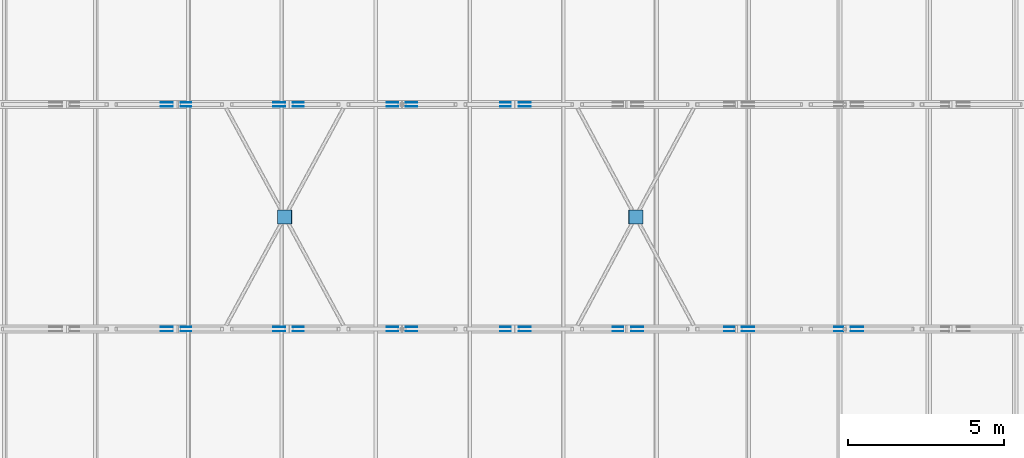
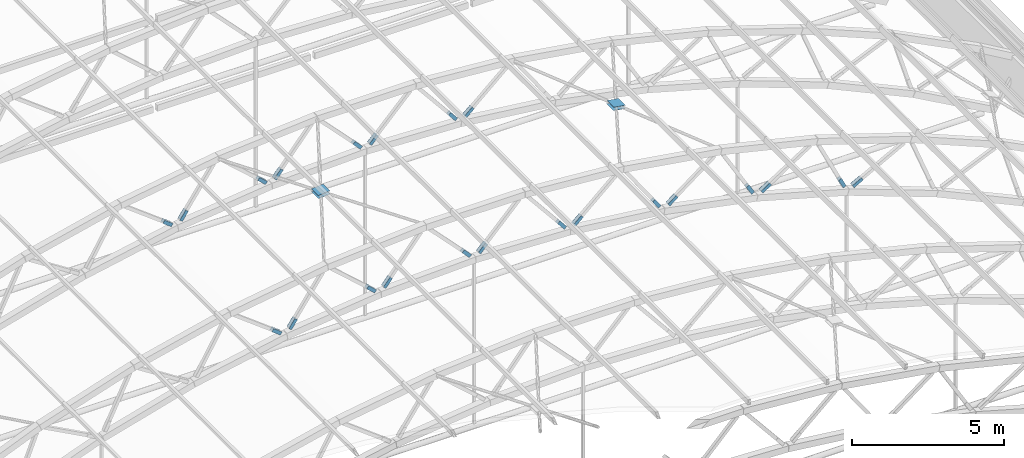
# One storey, part 88 of 127: 48 discrete accessories.
"""IFC4 building model written with IfcOpenShell, lengths in metres."""

from ifc_helpers import new_model, si_unit, direction, frame, origin, origin_2d, place, context, subcontext, project, spatial, rectangle, extrude, material, material_profile, profile_set, type_object, element, save


model = new_model("IFC4")

# Units and contexts
model_context = context("Model", 3, precision=1e-05, world=origin(), true_north=direction((0.0, 1.0)))
body_context = subcontext(model_context, "Body", "Model", "MODEL_VIEW")
ifc_project = project(units=[si_unit("LENGTHUNIT", "METRE"), si_unit("AREAUNIT", "SQUARE_METRE"), si_unit("VOLUMEUNIT", "CUBIC_METRE"), si_unit("PLANEANGLEUNIT", "RADIAN"), si_unit("MASSUNIT", "GRAM", prefix="KILO")], contexts=[model_context])

# Site, building, storey
site_placement = place(None, origin())
site = spatial("IfcSite", under=ifc_project, at=site_placement, CompositionType="ELEMENT")
building_placement = place(site_placement, origin())
building = spatial("IfcBuilding", under=site, at=building_placement, Name="Verrick Yard Athletic Hall", CompositionType="ELEMENT")
storey_placement = place(building_placement, frame((0.0, 0.0, 14.0)))
storey = spatial("IfcBuildingStorey", under=building, at=storey_placement, Name="L03", CompositionType="ELEMENT", Elevation=14.0)

# Discrete accessories
ifc_material = material(Name="Structural steel 350W (CSA G40.21)", Category="steel")
ifc_material_profile_1 = material_profile(ifc_material, rectangle(XDim=0.39990234375, YDim=0.126953125, at=origin_2d()), Name="Brace end cheek plate")
ifc_profile_set_1 = profile_set([ifc_material_profile_1], Name="Structural steel 350W (CSA G40.21)")
discrete_accessory_type_1 = type_object("IfcDiscreteAccessoryType", Name="Brace end cheek plate 400x127x12", PredefinedType="BRACKET", material=ifc_profile_set_1)
discrete_accessory_1_placement = place(storey_placement, frame((44.458251953125, 86.33642578125, 6.464111328125), z_axis=(0.0, -1.0, 0.0), x_axis=(-0.796193473644, 0.0, 0.605042108061)))
element("IfcDiscreteAccessory", 1, at=discrete_accessory_1_placement, inside=storey, type_object=discrete_accessory_type_1, Name="Truss web end plate TB3-10 1", PredefinedType="BRACKET", context=body_context, shape_type="SweptSolid", body=[
    extrude(rectangle(XDim=0.39990234375, YDim=0.126953125, at=origin_2d()), origin(), (0.0, 0.0, 1.0), 0.011962890625),
])
for number, where, z_axis, x_axis, name in (
    (2, (44.458251953125, 86.46337890625, 6.464111328125), (0.0, 1.0, 0.0), (-0.796193473644, 0.0, 0.605042108061), "Truss web end plate TB3-10 2"),
    (3, (45.07177734375, 86.46337890625, 6.56103515625), (0.0, 1.0, 0.0), (0.570674326681, 0.0, 0.821176480951), "Truss web end plate TB3-11 1"),
):
    element("IfcDiscreteAccessory", number, at=place(storey_placement, frame(where, z_axis=z_axis, x_axis=x_axis)), inside=storey, type_object=discrete_accessory_type_1, Name=name, PredefinedType="BRACKET", context=body_context, shape_type="SweptSolid", body=[
        extrude(rectangle(XDim=0.39990234375, YDim=0.126953125, at=origin_2d()), origin(), (0.0, 0.0, 1.0), 0.01220703125),
    ])
for number, where, z_axis, x_axis, name in (
    (4, (45.07177734375, 86.33642578125, 6.56103515625), (0.0, -1.0, 0.0), (0.570674326681, 0.0, 0.821176480951), "Truss web end plate TB3-11 2"),
    (5, (48.061767578125, 86.33642578125, 6.91455078125), (0.0, -1.0, 0.0), (-0.746352356768, 0.0, 0.665551019492), "Truss web end plate TB3-12 1"),
):
    element("IfcDiscreteAccessory", number, at=place(storey_placement, frame(where, z_axis=z_axis, x_axis=x_axis)), inside=storey, type_object=discrete_accessory_type_1, Name=name, PredefinedType="BRACKET", context=body_context, shape_type="SweptSolid", body=[
        extrude(rectangle(XDim=0.39990234375, YDim=0.126953125, at=origin_2d()), origin(), (0.0, 0.0, 1.0), 0.011962890625),
    ])
for number, where, z_axis, x_axis, name in (
    (6, (48.061767578125, 86.46337890625, 6.91455078125), (0.0, 1.0, 0.0), (-0.746352356768, 0.0, 0.665551019492), "Truss web end plate TB3-12 2"),
    (7, (48.680908203125, 86.46337890625, 6.963134765625), (0.0, 1.0, 0.0), (0.633245761862, 0.0, 0.773950776913), "Truss web end plate TB3-13 1"),
):
    element("IfcDiscreteAccessory", number, at=place(storey_placement, frame(where, z_axis=z_axis, x_axis=x_axis)), inside=storey, type_object=discrete_accessory_type_1, Name=name, PredefinedType="BRACKET", context=body_context, shape_type="SweptSolid", body=[
        extrude(rectangle(XDim=0.39990234375, YDim=0.126953125, at=origin_2d()), origin(), (0.0, 0.0, 1.0), 0.01220703125),
    ])
for number, where, z_axis, x_axis, name in (
    (8, (48.680908203125, 86.33642578125, 6.963134765625), (0.0, -1.0, 0.0), (0.633245761862, 0.0, 0.773950776913), "Truss web end plate TB3-13 2"),
    (9, (51.689453125, 86.33642578125, 7.0810546875), (0.0, -1.0, 0.0), (-0.691925275628, 0.0, 0.721969121879), "Truss web end plate TB3-14 1"),
):
    element("IfcDiscreteAccessory", number, at=place(storey_placement, frame(where, z_axis=z_axis, x_axis=x_axis)), inside=storey, type_object=discrete_accessory_type_1, Name=name, PredefinedType="BRACKET", context=body_context, shape_type="SweptSolid", body=[
        extrude(rectangle(XDim=0.39990234375, YDim=0.126953125, at=origin_2d()), origin(), (0.0, 0.0, 1.0), 0.011962890625),
    ])
for number, where, z_axis, x_axis, name in (
    (10, (51.689453125, 86.46337890625, 7.0810546875), (0.0, 1.0, 0.0), (-0.691925275628, 0.0, 0.721969121879), "Truss web end plate TB3-14 2"),
    (11, (52.310546875, 86.46337890625, 7.0810546875), (0.0, 1.0, 0.0), (0.691925275628, 0.0, 0.721969121879), "Truss web end plate TB3-15 1"),
):
    element("IfcDiscreteAccessory", number, at=place(storey_placement, frame(where, z_axis=z_axis, x_axis=x_axis)), inside=storey, type_object=discrete_accessory_type_1, Name=name, PredefinedType="BRACKET", context=body_context, shape_type="SweptSolid", body=[
        extrude(rectangle(XDim=0.39990234375, YDim=0.126953125, at=origin_2d()), origin(), (0.0, 0.0, 1.0), 0.01220703125),
    ])
for number, where, z_axis, x_axis, name in (
    (12, (52.310546875, 86.33642578125, 7.0810546875), (0.0, -1.0, 0.0), (0.691925275628, 0.0, 0.721969121879), "Truss web end plate TB3-15 2"),
    (13, (55.319091796875, 86.33642578125, 6.963134765625), (0.0, -1.0, 0.0), (-0.633245761862, 0.0, 0.773950776913), "Truss web end plate TB3-16 1"),
):
    element("IfcDiscreteAccessory", number, at=place(storey_placement, frame(where, z_axis=z_axis, x_axis=x_axis)), inside=storey, type_object=discrete_accessory_type_1, Name=name, PredefinedType="BRACKET", context=body_context, shape_type="SweptSolid", body=[
        extrude(rectangle(XDim=0.39990234375, YDim=0.126953125, at=origin_2d()), origin(), (0.0, 0.0, 1.0), 0.011962890625),
    ])
for number, where, z_axis, x_axis, name in (
    (14, (55.319091796875, 86.46337890625, 6.963134765625), (0.0, 1.0, 0.0), (-0.633245761862, 0.0, 0.773950776913), "Truss web end plate TB3-16 2"),
    (15, (55.938232421875, 86.46337890625, 6.91455078125), (0.0, 1.0, 0.0), (0.746352356768, 0.0, 0.665551019492), "Truss web end plate TB3-17 1"),
):
    element("IfcDiscreteAccessory", number, at=place(storey_placement, frame(where, z_axis=z_axis, x_axis=x_axis)), inside=storey, type_object=discrete_accessory_type_1, Name=name, PredefinedType="BRACKET", context=body_context, shape_type="SweptSolid", body=[
        extrude(rectangle(XDim=0.39990234375, YDim=0.126953125, at=origin_2d()), origin(), (0.0, 0.0, 1.0), 0.01220703125),
    ])
for number, where, z_axis, x_axis, name in (
    (16, (55.938232421875, 86.33642578125, 6.91455078125), (0.0, -1.0, 0.0), (0.746352356768, 0.0, 0.665551019492), "Truss web end plate TB3-17 2"),
    (17, (58.92822265625, 86.33642578125, 6.56103515625), (0.0, -1.0, 0.0), (-0.570674326681, 0.0, 0.821176480951), "Truss web end plate TB3-18 1"),
):
    element("IfcDiscreteAccessory", number, at=place(storey_placement, frame(where, z_axis=z_axis, x_axis=x_axis)), inside=storey, type_object=discrete_accessory_type_1, Name=name, PredefinedType="BRACKET", context=body_context, shape_type="SweptSolid", body=[
        extrude(rectangle(XDim=0.39990234375, YDim=0.126953125, at=origin_2d()), origin(), (0.0, 0.0, 1.0), 0.011962890625),
    ])
for number, where, z_axis, x_axis, name in (
    (18, (58.92822265625, 86.46337890625, 6.56103515625), (0.0, 1.0, 0.0), (-0.570674326681, 0.0, 0.821176480951), "Truss web end plate TB3-18 2"),
    (19, (59.541748046875, 86.46337890625, 6.464111328125), (0.0, 1.0, 0.0), (0.796193473644, 0.0, 0.605042108061), "Truss web end plate TB3-19 1"),
):
    element("IfcDiscreteAccessory", number, at=place(storey_placement, frame(where, z_axis=z_axis, x_axis=x_axis)), inside=storey, type_object=discrete_accessory_type_1, Name=name, PredefinedType="BRACKET", context=body_context, shape_type="SweptSolid", body=[
        extrude(rectangle(XDim=0.39990234375, YDim=0.126953125, at=origin_2d()), origin(), (0.0, 0.0, 1.0), 0.01220703125),
    ])
for number, where, z_axis, x_axis, name in (
    (20, (59.541748046875, 86.33642578125, 6.464111328125), (0.0, -1.0, 0.0), (0.796193473644, 0.0, 0.605042108061), "Truss web end plate TB3-19 2"),
    (21, (62.494873046875, 86.33642578125, 5.877685546875), (0.0, -1.0, 0.0), (-0.504596608522, 0.0, 0.863355235502), "Truss web end plate TB3-20 1"),
):
    element("IfcDiscreteAccessory", number, at=place(storey_placement, frame(where, z_axis=z_axis, x_axis=x_axis)), inside=storey, type_object=discrete_accessory_type_1, Name=name, PredefinedType="BRACKET", context=body_context, shape_type="SweptSolid", body=[
        extrude(rectangle(XDim=0.39990234375, YDim=0.126953125, at=origin_2d()), origin(), (0.0, 0.0, 1.0), 0.011962890625),
    ])
for number, where, z_axis, x_axis, name in (
    (22, (62.494873046875, 86.46337890625, 5.877685546875), (0.0, 1.0, 0.0), (-0.504596608522, 0.0, 0.863355235502), "Truss web end plate TB3-20 2"),
    (23, (63.098876953125, 86.46337890625, 5.73291015625), (0.0, 1.0, 0.0), (0.841141186405, 0.0, 0.540815591984), "Truss web end plate TB3-21 1"),
):
    element("IfcDiscreteAccessory", number, at=place(storey_placement, frame(where, z_axis=z_axis, x_axis=x_axis)), inside=storey, type_object=discrete_accessory_type_1, Name=name, PredefinedType="BRACKET", context=body_context, shape_type="SweptSolid", body=[
        extrude(rectangle(XDim=0.39990234375, YDim=0.126953125, at=origin_2d()), origin(), (0.0, 0.0, 1.0), 0.01220703125),
    ])
for number, where, z_axis, x_axis, name in (
    (24, (63.098876953125, 86.33642578125, 5.73291015625), (0.0, -1.0, 0.0), (0.841141186405, 0.0, 0.540815591984), "Truss web end plate TB3-21 2"),
    (25, (65.9970703125, 86.33642578125, 4.9169921875), (0.0, -1.0, 0.0), (-0.435417263932, 0.0, 0.90022875219), "Truss web end plate TB3-22 1"),
):
    element("IfcDiscreteAccessory", number, at=place(storey_placement, frame(where, z_axis=z_axis, x_axis=x_axis)), inside=storey, type_object=discrete_accessory_type_1, Name=name, PredefinedType="BRACKET", context=body_context, shape_type="SweptSolid", body=[
        extrude(rectangle(XDim=0.39990234375, YDim=0.126953125, at=origin_2d()), origin(), (0.0, 0.0, 1.0), 0.011962890625),
    ])
for number, where, z_axis, x_axis, name in (
    (26, (65.9970703125, 86.46337890625, 4.9169921875), (0.0, 1.0, 0.0), (-0.435417263932, 0.0, 0.90022875219), "Truss web end plate TB3-22 2"),
    (27, (66.587890625, 86.46337890625, 4.725341796875), (0.0, 1.0, 0.0), (0.880919955637, 0.0, 0.473265286876), "Truss web end plate TB3-23 1"),
):
    element("IfcDiscreteAccessory", number, at=place(storey_placement, frame(where, z_axis=z_axis, x_axis=x_axis)), inside=storey, type_object=discrete_accessory_type_1, Name=name, PredefinedType="BRACKET", context=body_context, shape_type="SweptSolid", body=[
        extrude(rectangle(XDim=0.39990234375, YDim=0.126953125, at=origin_2d()), origin(), (0.0, 0.0, 1.0), 0.01220703125),
    ])
discrete_accessory_2_placement = place(storey_placement, frame((66.587890625, 86.33642578125, 4.725341796875), z_axis=(0.0, -1.0, 0.0), x_axis=(0.880919955637, 0.0, 0.473265286876)))
element("IfcDiscreteAccessory", 28, at=discrete_accessory_2_placement, inside=storey, type_object=discrete_accessory_type_1, Name="Truss web end plate TB3-23 2", PredefinedType="BRACKET", context=body_context, shape_type="SweptSolid", body=[
    extrude(rectangle(XDim=0.39990234375, YDim=0.126953125, at=origin_2d()), origin(), (0.0, 0.0, 1.0), 0.011962890625),
])
discrete_accessory_3_placement = place(storey_placement, frame((44.458251953125, 93.53662109375, 6.464111328125), z_axis=(0.0, -1.0, 0.0), x_axis=(-0.796193473644, 0.0, 0.605042108061)))
element("IfcDiscreteAccessory", 29, at=discrete_accessory_3_placement, inside=storey, type_object=discrete_accessory_type_1, Name="Truss web end plate TB4-10 1", PredefinedType="BRACKET", context=body_context, shape_type="SweptSolid", body=[
    extrude(rectangle(XDim=0.39990234375, YDim=0.126953125, at=origin_2d()), origin(), (0.0, 0.0, 1.0), 0.01220703125),
])
for number, where, z_axis, x_axis, name in (
    (30, (44.458251953125, 93.66357421875, 6.464111328125), (0.0, 1.0, 0.0), (-0.796193473644, 0.0, 0.605042108061), "Truss web end plate TB4-10 2"),
    (31, (45.07177734375, 93.66357421875, 6.56103515625), (0.0, 1.0, 0.0), (0.570674326681, 0.0, 0.821176480951), "Truss web end plate TB4-11 1"),
):
    element("IfcDiscreteAccessory", number, at=place(storey_placement, frame(where, z_axis=z_axis, x_axis=x_axis)), inside=storey, type_object=discrete_accessory_type_1, Name=name, PredefinedType="BRACKET", context=body_context, shape_type="SweptSolid", body=[
        extrude(rectangle(XDim=0.39990234375, YDim=0.126953125, at=origin_2d()), origin(), (0.0, 0.0, 1.0), 0.011962890625),
    ])
for number, where, z_axis, x_axis, name in (
    (32, (45.07177734375, 93.53662109375, 6.56103515625), (0.0, -1.0, 0.0), (0.570674326681, 0.0, 0.821176480951), "Truss web end plate TB4-11 2"),
    (33, (48.061767578125, 93.53662109375, 6.91455078125), (0.0, -1.0, 0.0), (-0.746352356768, 0.0, 0.665551019492), "Truss web end plate TB4-12 1"),
):
    element("IfcDiscreteAccessory", number, at=place(storey_placement, frame(where, z_axis=z_axis, x_axis=x_axis)), inside=storey, type_object=discrete_accessory_type_1, Name=name, PredefinedType="BRACKET", context=body_context, shape_type="SweptSolid", body=[
        extrude(rectangle(XDim=0.39990234375, YDim=0.126953125, at=origin_2d()), origin(), (0.0, 0.0, 1.0), 0.01220703125),
    ])
for number, where, z_axis, x_axis, name in (
    (34, (48.061767578125, 93.66357421875, 6.91455078125), (0.0, 1.0, 0.0), (-0.746352356768, 0.0, 0.665551019492), "Truss web end plate TB4-12 2"),
    (35, (48.680908203125, 93.66357421875, 6.963134765625), (0.0, 1.0, 0.0), (0.633245761862, 0.0, 0.773950776913), "Truss web end plate TB4-13 1"),
):
    element("IfcDiscreteAccessory", number, at=place(storey_placement, frame(where, z_axis=z_axis, x_axis=x_axis)), inside=storey, type_object=discrete_accessory_type_1, Name=name, PredefinedType="BRACKET", context=body_context, shape_type="SweptSolid", body=[
        extrude(rectangle(XDim=0.39990234375, YDim=0.126953125, at=origin_2d()), origin(), (0.0, 0.0, 1.0), 0.011962890625),
    ])
for number, where, z_axis, x_axis, name in (
    (36, (48.680908203125, 93.53662109375, 6.963134765625), (0.0, -1.0, 0.0), (0.633245761862, 0.0, 0.773950776913), "Truss web end plate TB4-13 2"),
    (37, (51.689453125, 93.53662109375, 7.0810546875), (0.0, -1.0, 0.0), (-0.691925275628, 0.0, 0.721969121879), "Truss web end plate TB4-14 1"),
):
    element("IfcDiscreteAccessory", number, at=place(storey_placement, frame(where, z_axis=z_axis, x_axis=x_axis)), inside=storey, type_object=discrete_accessory_type_1, Name=name, PredefinedType="BRACKET", context=body_context, shape_type="SweptSolid", body=[
        extrude(rectangle(XDim=0.39990234375, YDim=0.126953125, at=origin_2d()), origin(), (0.0, 0.0, 1.0), 0.01220703125),
    ])
for number, where, z_axis, x_axis, name in (
    (38, (51.689453125, 93.66357421875, 7.0810546875), (0.0, 1.0, 0.0), (-0.691925275628, 0.0, 0.721969121879), "Truss web end plate TB4-14 2"),
    (39, (52.310546875, 93.66357421875, 7.0810546875), (0.0, 1.0, 0.0), (0.691925275628, 0.0, 0.721969121879), "Truss web end plate TB4-15 1"),
):
    element("IfcDiscreteAccessory", number, at=place(storey_placement, frame(where, z_axis=z_axis, x_axis=x_axis)), inside=storey, type_object=discrete_accessory_type_1, Name=name, PredefinedType="BRACKET", context=body_context, shape_type="SweptSolid", body=[
        extrude(rectangle(XDim=0.39990234375, YDim=0.126953125, at=origin_2d()), origin(), (0.0, 0.0, 1.0), 0.011962890625),
    ])
for number, where, z_axis, x_axis, name in (
    (40, (52.310546875, 93.53662109375, 7.0810546875), (0.0, -1.0, 0.0), (0.691925275628, 0.0, 0.721969121879), "Truss web end plate TB4-15 2"),
    (41, (55.319091796875, 93.53662109375, 6.963134765625), (0.0, -1.0, 0.0), (-0.633245761862, 0.0, 0.773950776913), "Truss web end plate TB4-16 1"),
):
    element("IfcDiscreteAccessory", number, at=place(storey_placement, frame(where, z_axis=z_axis, x_axis=x_axis)), inside=storey, type_object=discrete_accessory_type_1, Name=name, PredefinedType="BRACKET", context=body_context, shape_type="SweptSolid", body=[
        extrude(rectangle(XDim=0.39990234375, YDim=0.126953125, at=origin_2d()), origin(), (0.0, 0.0, 1.0), 0.01220703125),
    ])
for number, where, z_axis, x_axis, name in (
    (42, (55.319091796875, 93.66357421875, 6.963134765625), (0.0, 1.0, 0.0), (-0.633245761862, 0.0, 0.773950776913), "Truss web end plate TB4-16 2"),
    (43, (55.938232421875, 93.66357421875, 6.91455078125), (0.0, 1.0, 0.0), (0.746352356768, 0.0, 0.665551019492), "Truss web end plate TB4-17 1"),
):
    element("IfcDiscreteAccessory", number, at=place(storey_placement, frame(where, z_axis=z_axis, x_axis=x_axis)), inside=storey, type_object=discrete_accessory_type_1, Name=name, PredefinedType="BRACKET", context=body_context, shape_type="SweptSolid", body=[
        extrude(rectangle(XDim=0.39990234375, YDim=0.126953125, at=origin_2d()), origin(), (0.0, 0.0, 1.0), 0.011962890625),
    ])
discrete_accessory_4_placement = place(storey_placement, frame((55.938232421875, 93.53662109375, 6.91455078125), z_axis=(0.0, -1.0, 0.0), x_axis=(0.746352356768, 0.0, 0.665551019492)))
element("IfcDiscreteAccessory", 44, at=discrete_accessory_4_placement, inside=storey, type_object=discrete_accessory_type_1, Name="Truss web end plate TB4-17 2", PredefinedType="BRACKET", context=body_context, shape_type="SweptSolid", body=[
    extrude(rectangle(XDim=0.39990234375, YDim=0.126953125, at=origin_2d()), origin(), (0.0, 0.0, 1.0), 0.01220703125),
])
ifc_material_profile_2 = material_profile(ifc_material, rectangle(XDim=0.449951171875, YDim=0.449951171875, at=origin_2d()), Name="Brace node plate")
ifc_profile_set_2 = profile_set([ifc_material_profile_2], Name="Structural steel 350W (CSA G40.21)")
discrete_accessory_type_2 = type_object("IfcDiscreteAccessoryType", Name="Brace node plate 450x450x12", PredefinedType="BRACKET", material=ifc_profile_set_2)
for number, where, z_axis, x_axis, name in (
    (45, (48.247314453125, 90.0, 8.515869140625), (0.081362009455, 0.0, -0.996684615823), (0.0, 1.0, 0.0), "Brace node plate B3-5 1"),
    (46, (48.238525390625, 90.0, 8.6298828125), (-0.081362009455, 0.0, 0.996684615823), (0.0, -1.0, 0.0), "Brace node plate B3-5 2"),
    (47, (59.482177734375, 90.0, 8.0751953125), (-0.164398987305, 0.0, -0.986393923832), (0.0, -1.0, 0.0), "Brace node plate B3-8 1"),
    (48, (59.5, 90.0, 8.188232421875), (0.164398987305, 0.0, 0.986393923832), (0.0, 1.0, 0.0), "Brace node plate B3-8 2"),
):
    element("IfcDiscreteAccessory", number, at=place(storey_placement, frame(where, z_axis=z_axis, x_axis=x_axis)), inside=storey, type_object=discrete_accessory_type_2, Name=name, PredefinedType="BRACKET", context=body_context, shape_type="SweptSolid", body=[
        extrude(rectangle(XDim=0.449951171875, YDim=0.449951171875, at=origin_2d()), origin(), (0.0, 0.0, 1.0), 0.011962890625),
    ])

save(model, "model.ifc")
